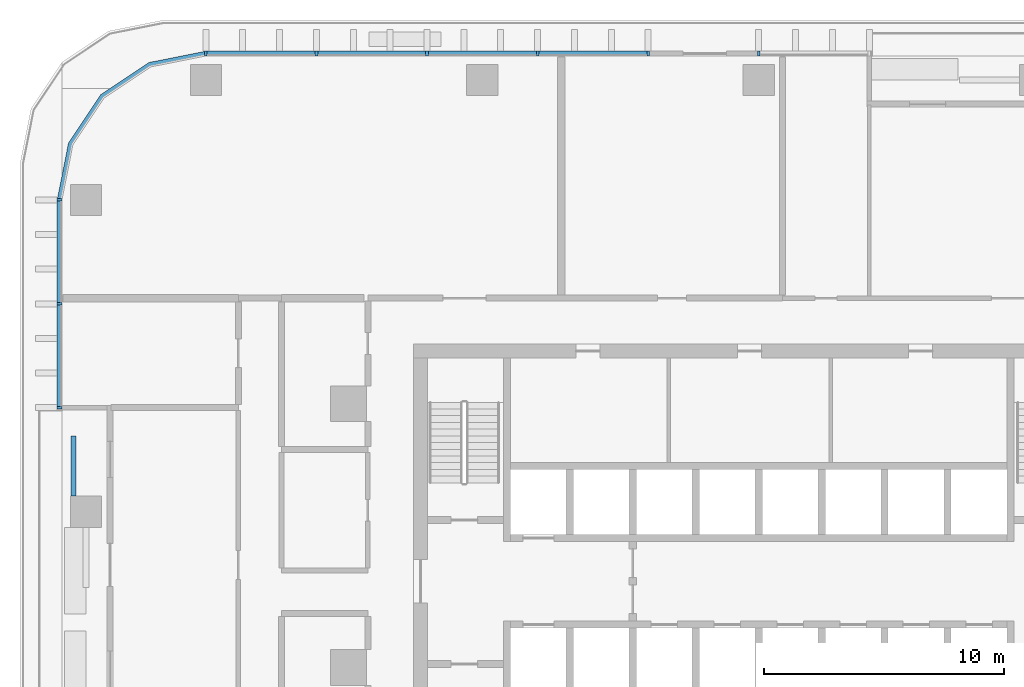
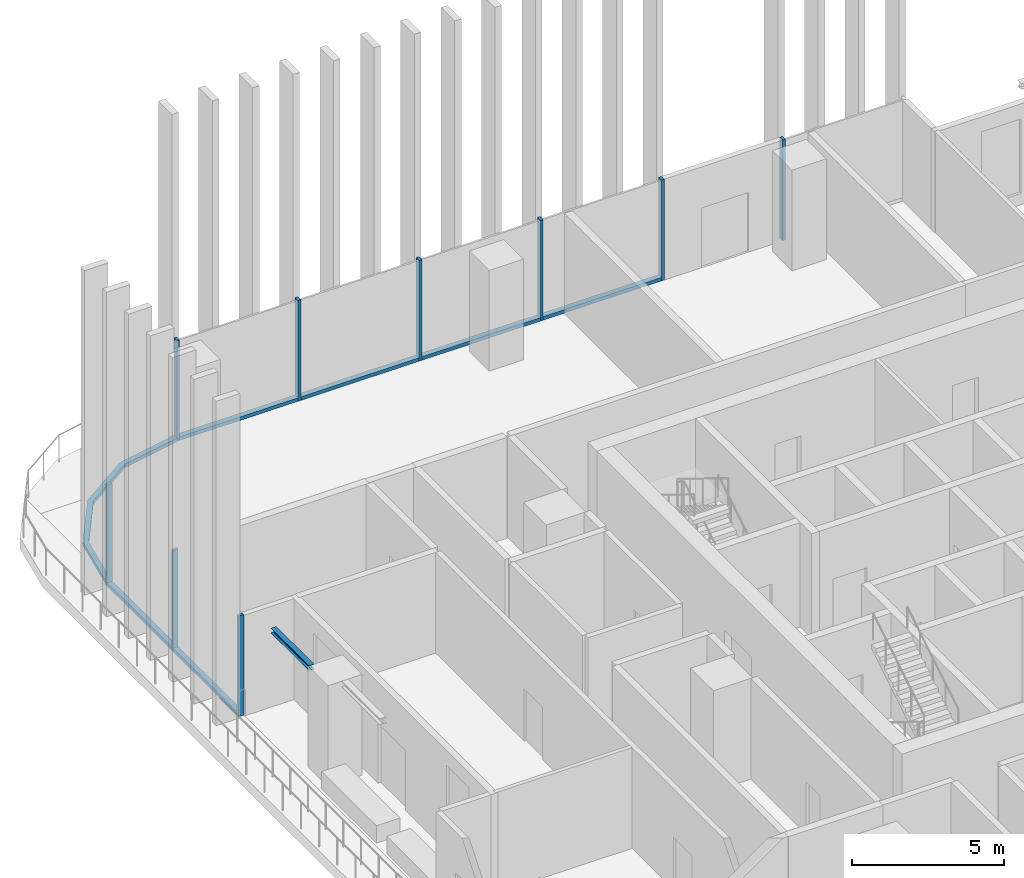
# One storey, part 4 of 18: 16 members, 1 beam, 4 elements without a shape of their own.
"""IFC4 building model written with IfcOpenShell, lengths in metres."""

from ifc_helpers import new_model, si_unit, direction, frame, origin, origin_2d, place, context, subcontext, project, spatial, polyline, rectangle, i_section, outline, extrude, material, material_profile, profile_set, type_object, element, aggregate, save


model = new_model("IFC4")

# Units and contexts
model_context = context("Model", 3, precision=1e-05, world=origin(), true_north=direction((0.0, 1.0)))
body_context = subcontext(model_context, "Body", "Model", "MODEL_VIEW")
ifc_project = project(units=[si_unit("LENGTHUNIT", "METRE"), si_unit("AREAUNIT", "SQUARE_METRE"), si_unit("VOLUMEUNIT", "CUBIC_METRE"), si_unit("PLANEANGLEUNIT", "RADIAN"), si_unit("MASSUNIT", "GRAM", prefix="KILO")], contexts=[model_context])

# Site, building, storey
site_placement = place(None, origin())
site = spatial("IfcSite", under=ifc_project, at=site_placement, CompositionType="ELEMENT")
building_placement = place(site_placement, origin())
building = spatial("IfcBuilding", under=site, at=building_placement, Name="Mopane Tessera Tower", CompositionType="ELEMENT")
storey_placement = place(building_placement, frame((0.0, 0.0, 94.60009765625)))
storey = spatial("IfcBuildingStorey", under=building, at=storey_placement, Name="L18", CompositionType="ELEMENT", Elevation=94.60009765625)

# Curtain wall, member
ifc_material_1 = material(Name="Aluminium frame", Category="aluminium")
curtain_wall_type = type_object("IfcCurtainWallType", Name="Lower tower unitised wall", PredefinedType="NOTDEFINED", material=ifc_material_1)
curtain_wall_1_placement = place(storey_placement, origin())
curtain_wall_1 = element("IfcCurtainWall", 1, at=curtain_wall_1_placement, inside=storey, type_object=curtain_wall_type, Name="e:cw:L18:N:4", PredefinedType="NOTDEFINED")
ifc_material_2 = material(Name="Aluminium frame", Category="aluminium")
ifc_material_profile_1 = material_profile(ifc_material_2, rectangle(XDim=0.110107421875, YDim=0.199951171875, at=origin_2d()))
ifc_profile_set_1 = profile_set([ifc_material_profile_1], Name="Aluminium frame")
member_type_1 = type_object("IfcMemberType", Name="Aluminium mullion 110 x 200", PredefinedType="MULLION", material=ifc_profile_set_1)
member_1_placement = place(storey_placement, frame((0.0, 25.60009765625, 0.0), z_axis=(0.0, 0.0, 1.0), x_axis=(-1.0, 0.0, 0.0)))
member_1 = element("IfcMember", 2, at=member_1_placement, type_object=member_type_1, Name="e:cw:L18:N:4:mu5", PredefinedType="MULLION", context=body_context, shape_type="SweptSolid", body=[
    extrude(rectangle(XDim=0.110107421875, YDim=0.199951171875, at=origin_2d()), origin(), (0.0, 0.0, 1.0), 4.0498046875),
])
aggregate(curtain_wall_1, [member_1])

# Curtain wall, members
curtain_wall_2_placement = place(storey_placement, origin())
curtain_wall_2 = element("IfcCurtainWall", 3, at=curtain_wall_2_placement, inside=storey, type_object=curtain_wall_type, Name="e:cw:L18:N:6", PredefinedType="NOTDEFINED")
member_2_placement = place(storey_placement, frame((-4.610107421875, 25.60009765625, 0.0), z_axis=(0.0, 0.0, 1.0), x_axis=(-1.0, 0.0, 0.0)))
member_2 = element("IfcMember", 4, at=member_2_placement, type_object=member_type_1, Name="e:cw:L18:N:6:mu6", PredefinedType="MULLION", context=body_context, shape_type="SweptSolid", body=[
    extrude(rectangle(XDim=0.110107421875, YDim=0.199951171875, at=origin_2d()), origin(), (0.0, 0.0, 1.0), 4.0498046875),
])
member_3_placement = place(storey_placement, frame((-9.219970703125, 25.60009765625, 0.0), z_axis=(0.0, 0.0, 1.0), x_axis=(-1.0, 0.0, 0.0)))
member_3 = element("IfcMember", 5, at=member_3_placement, type_object=member_type_1, Name="e:cw:L18:N:6:mu7", PredefinedType="MULLION", context=body_context, shape_type="SweptSolid", body=[
    extrude(rectangle(XDim=0.110107421875, YDim=0.199951171875, at=origin_2d()), origin(), (0.0, 0.0, 1.0), 4.0498046875),
])
member_4_placement = place(storey_placement, frame((-13.830078125, 25.60009765625, 0.0), z_axis=(0.0, 0.0, 1.0), x_axis=(-1.0, 0.0, 0.0)))
member_4 = element("IfcMember", 6, at=member_4_placement, type_object=member_type_1, Name="e:cw:L18:N:6:mu8", PredefinedType="MULLION", context=body_context, shape_type="SweptSolid", body=[
    extrude(rectangle(XDim=0.110107421875, YDim=0.199951171875, at=origin_2d()), origin(), (0.0, 0.0, 1.0), 4.0498046875),
])
member_5_placement = place(storey_placement, frame((-18.43994140625, 25.60009765625, 0.0), z_axis=(0.0, 0.0, 1.0), x_axis=(-1.0, 0.0, 0.0)))
member_5 = element("IfcMember", 7, at=member_5_placement, type_object=member_type_1, Name="e:cw:L18:N:6:mu9", PredefinedType="MULLION", context=body_context, shape_type="SweptSolid", body=[
    extrude(rectangle(XDim=0.110107421875, YDim=0.199951171875, at=origin_2d()), origin(), (0.0, 0.0, 1.0), 4.0498046875),
])
member_6_placement = place(storey_placement, frame((-23.050048828125, 25.60009765625, 0.0), z_axis=(0.0, 0.0, 1.0), x_axis=(-1.0, 0.0, 0.0)))
member_6 = element("IfcMember", 8, at=member_6_placement, type_object=member_type_1, Name="e:cw:L18:N:6:mu10", PredefinedType="MULLION", context=body_context, shape_type="SweptSolid", body=[
    extrude(rectangle(XDim=0.110107421875, YDim=0.199951171875, at=origin_2d()), origin(), (0.0, 0.0, 1.0), 4.0498046875),
])

curtain_wall_3_placement = place(storey_placement, origin())
curtain_wall_3 = element("IfcCurtainWall", 9, at=curtain_wall_3_placement, inside=storey, type_object=curtain_wall_type, Name="e:cw:L18:W:0", PredefinedType="NOTDEFINED")
member_7_placement = place(storey_placement, frame((-29.14990234375, 19.5, 0.0), z_axis=(0.0, 0.0, 1.0), x_axis=(0.0, -1.0, 0.0)))
member_7 = element("IfcMember", 10, at=member_7_placement, type_object=member_type_1, Name="e:cw:L18:W:0:mu0", PredefinedType="MULLION", context=body_context, shape_type="SweptSolid", body=[
    extrude(rectangle(XDim=0.110107421875, YDim=0.199951171875, at=origin_2d()), origin(), (0.0, 0.0, 1.0), 4.0498046875),
])
member_8_placement = place(storey_placement, frame((-29.14990234375, 15.166748046875, 0.0), z_axis=(0.0, 0.0, 1.0), x_axis=(0.0, -1.0, 0.0)))
member_8 = element("IfcMember", 11, at=member_8_placement, type_object=member_type_1, Name="e:cw:L18:W:0:mu1", PredefinedType="MULLION", context=body_context, shape_type="SweptSolid", body=[
    extrude(rectangle(XDim=0.110107421875, YDim=0.199951171875, at=origin_2d()), origin(), (0.0, 0.0, 1.0), 4.0498046875),
])
member_9_placement = place(storey_placement, frame((-29.14990234375, 10.833251953125, 0.0), z_axis=(0.0, 0.0, 1.0), x_axis=(0.0, -1.0, 0.0)))
member_9 = element("IfcMember", 12, at=member_9_placement, type_object=member_type_1, Name="e:cw:L18:W:0:mu2", PredefinedType="MULLION", context=body_context, shape_type="SweptSolid", body=[
    extrude(rectangle(XDim=0.110107421875, YDim=0.199951171875, at=origin_2d()), origin(), (0.0, 0.0, 1.0), 4.0498046875),
])

# Member
ifc_material_3 = material(Name="Aluminium frame", Category="aluminium")
ifc_material_profile_2 = material_profile(ifc_material_3, rectangle(XDim=0.199951171875, YDim=0.139892578125, at=origin_2d()))
ifc_profile_set_2 = profile_set([ifc_material_profile_2], Name="Aluminium frame")
member_type_2 = type_object("IfcMemberType", Name="Aluminium transom 200 x 140", PredefinedType="USERDEFINED", material=ifc_profile_set_2)
member_10_placement = place(storey_placement, frame((-4.6650390625, 25.60009765625, 0.06982421875), z_axis=(-1.0, 0.0, 0.0), x_axis=(0.0, -1.0, 0.0)))
member_10 = element("IfcMember", 13, at=member_10_placement, type_object=member_type_2, Name="e:cw:L18:N:6:tr6", ObjectType="TRANSOM", PredefinedType="USERDEFINED", context=body_context, shape_type="SweptSolid", body=[
    extrude(rectangle(XDim=0.199951171875, YDim=0.139892578125, at=origin_2d()), origin(), (0.0, 0.0, 1.0), 4.5),
])

member_11_placement = place(storey_placement, frame((-9.27490234375, 25.60009765625, 0.06982421875), z_axis=(-1.0, 0.0, 0.0), x_axis=(0.0, -1.0, 0.0)))
member_11 = element("IfcMember", 14, at=member_11_placement, type_object=member_type_2, Name="e:cw:L18:N:6:tr7", ObjectType="TRANSOM", PredefinedType="USERDEFINED", context=body_context, shape_type="SweptSolid", body=[
    extrude(rectangle(XDim=0.199951171875, YDim=0.139892578125, at=origin_2d()), origin(), (0.0, 0.0, 1.0), 4.5),
])

member_12_placement = place(storey_placement, frame((-13.885009765625, 25.60009765625, 0.06982421875), z_axis=(-1.0, 0.0, 0.0), x_axis=(0.0, -1.0, 0.0)))
member_12 = element("IfcMember", 15, at=member_12_placement, type_object=member_type_2, Name="e:cw:L18:N:6:tr8", ObjectType="TRANSOM", PredefinedType="USERDEFINED", context=body_context, shape_type="SweptSolid", body=[
    extrude(rectangle(XDim=0.199951171875, YDim=0.139892578125, at=origin_2d()), origin(), (0.0, 0.0, 1.0), 4.5),
])

member_13_placement = place(storey_placement, frame((-18.4951171875, 25.60009765625, 0.06982421875), z_axis=(-1.0, 0.0, 0.0), x_axis=(0.0, -1.0, 0.0)))
member_13 = element("IfcMember", 16, at=member_13_placement, type_object=member_type_2, Name="e:cw:L18:N:6:tr9", ObjectType="TRANSOM", PredefinedType="USERDEFINED", context=body_context, shape_type="SweptSolid", body=[
    extrude(rectangle(XDim=0.199951171875, YDim=0.139892578125, at=origin_2d()), origin(), (0.0, 0.0, 1.0), 4.5),
])

aggregate(curtain_wall_2, [member_2, member_3, member_4, member_5, member_6, member_10, member_11, member_12, member_13])

# Curtain wall, member
curtain_wall_4_placement = place(storey_placement, origin())
curtain_wall_4 = element("IfcCurtainWall", 17, at=curtain_wall_4_placement, inside=storey, type_object=curtain_wall_type, Name="e:cw:L18:CN", PredefinedType="NOTDEFINED")
member_14_placement = place(storey_placement, origin())
member_14 = element("IfcMember", 18, at=member_14_placement, type_object=member_type_2, Name="e:cw:L18:CN:tr", ObjectType="TRANSOM", PredefinedType="USERDEFINED", context=body_context, shape_type="SweptSolid", body=[
    extrude(outline(polyline([(-23.050048828125, 25.5), (-25.34619140625, 25.043212890625), (-27.292724609375, 23.74267578125), (-28.59326171875, 21.796142578125), (-29.050048828125, 19.5), (-29.25, 19.5), (-28.778076171875, 21.87255859375), (-27.43408203125, 23.884033203125), (-25.422607421875, 25.22802734375), (-23.050048828125, 25.699951171875), (-23.050048828125, 25.5)])), origin(), (0.0, 0.0, 1.0), 0.139892578125),
])
aggregate(curtain_wall_4, [member_14])

# Member
member_15_placement = place(storey_placement, frame((-29.14990234375, 19.445068359375, 0.06982421875), z_axis=(0.0, -1.0, 0.0), x_axis=(1.0, 0.0, 0.0)))
member_15 = element("IfcMember", 19, at=member_15_placement, type_object=member_type_2, Name="e:cw:L18:W:0:tr0", ObjectType="TRANSOM", PredefinedType="USERDEFINED", context=body_context, shape_type="SweptSolid", body=[
    extrude(rectangle(XDim=0.199951171875, YDim=0.139892578125, at=origin_2d()), origin(), (0.0, 0.0, 1.0), 4.223388671875),
])

member_16_placement = place(storey_placement, frame((-29.14990234375, 15.111572265625, 0.06982421875), z_axis=(0.0, -1.0, 0.0), x_axis=(1.0, 0.0, 0.0)))
member_16 = element("IfcMember", 20, at=member_16_placement, type_object=member_type_2, Name="e:cw:L18:W:0:tr1", ObjectType="TRANSOM", PredefinedType="USERDEFINED", context=body_context, shape_type="SweptSolid", body=[
    extrude(rectangle(XDim=0.199951171875, YDim=0.139892578125, at=origin_2d()), origin(), (0.0, 0.0, 1.0), 4.22314453125),
])

aggregate(curtain_wall_3, [member_7, member_8, member_9, member_15, member_16])

# Beam
ifc_material_4 = material(Name="Structural steel S460", Category="steel")
ifc_material_profile_3 = material_profile(ifc_material_4, i_section(OverallWidth=0.199951171875, OverallDepth=0.199951171875, WebThickness=0.009033203125, FlangeThickness=0.014892578125, FilletRadius=0.01806640625, at=origin_2d()))
ifc_profile_set_3 = profile_set([ifc_material_profile_3], Name="Structural steel S460")
beam_type = type_object("IfcBeamType", Name="Terrace trimmer beam HE 200 B", PredefinedType="BEAM", material=ifc_profile_set_3)
beam_placement = place(storey_placement, frame((-28.570068359375, 7.153076171875, 3.949951171875), z_axis=(0.0, 1.0, 0.0), x_axis=(-1.0, 0.0, 0.0)))
element("IfcBeam", 21, at=beam_placement, inside=storey, type_object=beam_type, Name="Terrace trimmer beam N2 L19", PredefinedType="BEAM", context=body_context, shape_type="SweptSolid", body=[
    extrude(i_section(OverallWidth=0.199951171875, OverallDepth=0.199951171875, WebThickness=0.009033203125, FlangeThickness=0.014892578125, FilletRadius=0.01806640625, at=origin_2d()), origin(), (0.0, 0.0, 1.0), 2.5),
])

save(model, "model.ifc")
